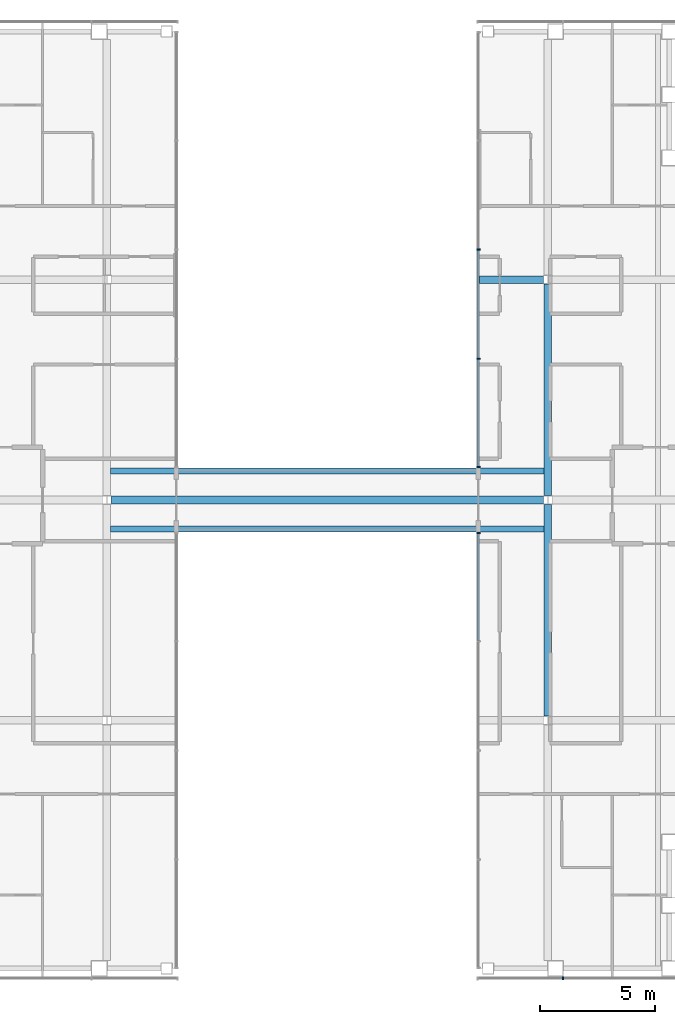
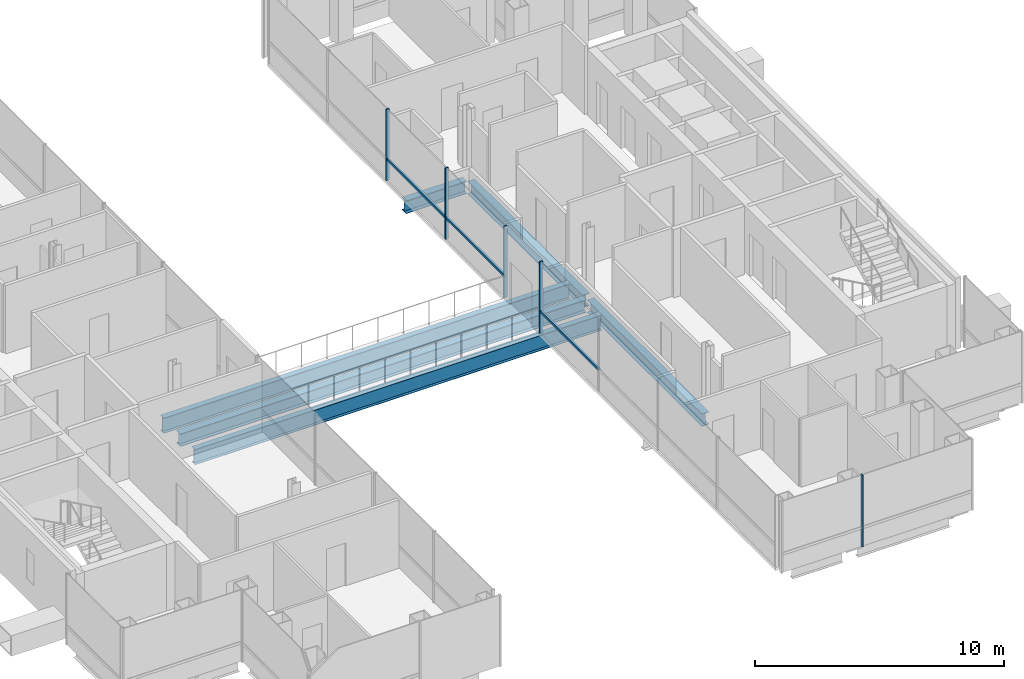
# One storey, part 6 of 16: 8 members, 6 beams, 3 elements without a shape of their own.
"""IFC4 building model written with IfcOpenShell, lengths in metres."""

from ifc_helpers import new_model, si_unit, direction, frame, origin, origin_2d, place, context, subcontext, project, spatial, rectangle, i_section, extrude, material, material_profile, profile_set, type_object, element, aggregate, save


model = new_model("IFC4")

# Units and contexts
model_context = context("Model", 3, precision=1e-05, world=origin(), true_north=direction((0.0, 1.0)))
body_context = subcontext(model_context, "Body", "Model", "MODEL_VIEW")
ifc_project = project(units=[si_unit("LENGTHUNIT", "METRE"), si_unit("AREAUNIT", "SQUARE_METRE"), si_unit("VOLUMEUNIT", "CUBIC_METRE"), si_unit("PLANEANGLEUNIT", "RADIAN"), si_unit("MASSUNIT", "GRAM", prefix="KILO")], contexts=[model_context])

# Site, building, storey
site_placement = place(None, origin())
site = spatial("IfcSite", under=ifc_project, at=site_placement, CompositionType="ELEMENT")
building_placement = place(site_placement, origin())
building = spatial("IfcBuilding", under=site, at=building_placement, Name="Cobrizo Arcos Hotel Tower", CompositionType="ELEMENT")
storey_placement = place(building_placement, frame((0.0, 0.0, 229.5)))
storey = spatial("IfcBuildingStorey", under=building, at=storey_placement, Name="L60", CompositionType="ELEMENT", Elevation=229.5)

# Curtain wall, member
ifc_material_1 = material(Name="Aluminium 6063-T6 anodised bronze", Category="aluminium")
curtain_wall_type_1 = type_object("IfcCurtainWallType", Name="CW-A guest facade", PredefinedType="NOTDEFINED", material=ifc_material_1)
curtain_wall_1_placement = place(storey_placement, origin())
curtain_wall_1 = element("IfcCurtainWall", 1, at=curtain_wall_1_placement, inside=storey, type_object=curtain_wall_type_1, Name="CW-A L60 S face", PredefinedType="NOTDEFINED")
ifc_material_profile_1 = material_profile(ifc_material_1, rectangle(XDim=0.14990234375, YDim=0.06005859375, at=origin_2d()), Name="CW-A mullion 150x60")
ifc_profile_set_1 = profile_set([ifc_material_profile_1], Name="Aluminium 6063-T6 anodised bronze")
member_type_1 = type_object("IfcMemberType", Name="CW-A mullion 150x60", PredefinedType="MULLION", material=ifc_profile_set_1)
member_1_placement = place(storey_placement, frame((10.2666015625, -20.824951171875, 0.0), z_axis=(0.0, 0.0, 1.0), x_axis=(0.0, -1.0, 0.0)))
member_1 = element("IfcMember", 2, at=member_1_placement, type_object=member_type_1, Name="CW-A mullion 2", PredefinedType="MULLION", context=body_context, shape_type="SweptSolid", body=[
    extrude(rectangle(XDim=0.14990234375, YDim=0.06005859375, at=origin_2d()), origin(), (0.0, 0.0, 1.0), 3.5),
])
aggregate(curtain_wall_1, [member_1])

curtain_wall_type_2 = type_object("IfcCurtainWallType", Name="CW-F void screen", PredefinedType="NOTDEFINED", material=ifc_material_1)
curtain_wall_2_placement = place(storey_placement, origin())
curtain_wall_2 = element("IfcCurtainWall", 3, at=curtain_wall_2_placement, inside=storey, type_object=curtain_wall_type_2, Name="CW-F L60 void screen C", PredefinedType="NOTDEFINED")
ifc_material_profile_2 = material_profile(ifc_material_1, rectangle(XDim=0.14990234375, YDim=0.06005859375, at=origin_2d()), Name="CW-F mullion 150x60")
ifc_profile_set_2 = profile_set([ifc_material_profile_2], Name="Aluminium 6063-T6 anodised bronze")
member_type_2 = type_object("IfcMemberType", Name="CW-F mullion 150x60", PredefinedType="MULLION", material=ifc_profile_set_2)
member_2_placement = place(storey_placement, frame((6.574951171875, -1.429931640625, 0.0), z_axis=(0.0, 0.0, 1.0), x_axis=(1.0, 0.0, 0.0)))
member_2 = element("IfcMember", 4, at=member_2_placement, type_object=member_type_2, Name="CW-F mullion 5", PredefinedType="MULLION", context=body_context, shape_type="SweptSolid", body=[
    extrude(rectangle(XDim=0.14990234375, YDim=0.06005859375, at=origin_2d()), origin(), (0.0, 0.0, 1.0), 3.5),
])

# Curtain wall, members
curtain_wall_3_placement = place(storey_placement, origin())
curtain_wall_3 = element("IfcCurtainWall", 5, at=curtain_wall_3_placement, inside=storey, type_object=curtain_wall_type_2, Name="CW-F L60 void screen C", PredefinedType="NOTDEFINED")
member_3_placement = place(storey_placement, frame((6.574951171875, 1.429931640625, 0.0), z_axis=(0.0, 0.0, 1.0), x_axis=(1.0, 0.0, 0.0)))
member_3 = element("IfcMember", 6, at=member_3_placement, type_object=member_type_2, Name="CW-F mullion 1", PredefinedType="MULLION", context=body_context, shape_type="SweptSolid", body=[
    extrude(rectangle(XDim=0.14990234375, YDim=0.06005859375, at=origin_2d()), origin(), (0.0, 0.0, 1.0), 3.5),
])
member_4_placement = place(storey_placement, frame((6.574951171875, 6.14990234375, 0.0), z_axis=(0.0, 0.0, 1.0), x_axis=(1.0, 0.0, 0.0)))
member_4 = element("IfcMember", 7, at=member_4_placement, type_object=member_type_2, Name="CW-F mullion 2", PredefinedType="MULLION", context=body_context, shape_type="SweptSolid", body=[
    extrude(rectangle(XDim=0.14990234375, YDim=0.06005859375, at=origin_2d()), origin(), (0.0, 0.0, 1.0), 3.5),
])
member_5_placement = place(storey_placement, frame((6.574951171875, 10.89990234375, 0.0), z_axis=(0.0, 0.0, 1.0), x_axis=(1.0, 0.0, 0.0)))
member_5 = element("IfcMember", 8, at=member_5_placement, type_object=member_type_2, Name="CW-F mullion 3", PredefinedType="MULLION", context=body_context, shape_type="SweptSolid", body=[
    extrude(rectangle(XDim=0.14990234375, YDim=0.06005859375, at=origin_2d()), origin(), (0.0, 0.0, 1.0), 3.5),
])

# Member
ifc_material_profile_3 = material_profile(ifc_material_1, rectangle(XDim=0.10009765625, YDim=0.1201171875, at=origin_2d()), Name="CW-F transom 120x100")
ifc_profile_set_3 = profile_set([ifc_material_profile_3], Name="Aluminium 6063-T6 anodised bronze")
member_type_3 = type_object("IfcMemberType", Name="CW-F transom 120x100", PredefinedType="USERDEFINED", material=ifc_profile_set_3)
member_6_placement = place(storey_placement, frame((6.574951171875, -6.1201171875, 1.050048828125), z_axis=(0.0, 1.0, 0.0), x_axis=(-1.0, 0.0, 0.0)))
member_6 = element("IfcMember", 9, at=member_6_placement, type_object=member_type_3, Name="CW-F transom 2735", ObjectType="TRANSOM", PredefinedType="USERDEFINED", context=body_context, shape_type="SweptSolid", body=[
    extrude(rectangle(XDim=0.10009765625, YDim=0.1201171875, at=origin_2d()), origin(), (0.0, 0.0, 1.0), 4.66015625),
])

aggregate(curtain_wall_2, [member_2, member_6])

member_7_placement = place(storey_placement, frame((6.574951171875, 1.4599609375, 1.050048828125), z_axis=(0.0, 1.0, 0.0), x_axis=(-1.0, 0.0, 0.0)))
member_7 = element("IfcMember", 10, at=member_7_placement, type_object=member_type_3, Name="CW-F transom 2736", ObjectType="TRANSOM", PredefinedType="USERDEFINED", context=body_context, shape_type="SweptSolid", body=[
    extrude(rectangle(XDim=0.10009765625, YDim=0.1201171875, at=origin_2d()), origin(), (0.0, 0.0, 1.0), 4.66015625),
])

member_8_placement = place(storey_placement, frame((6.574951171875, 6.179931640625, 1.050048828125), z_axis=(0.0, 1.0, 0.0), x_axis=(-1.0, 0.0, 0.0)))
member_8 = element("IfcMember", 11, at=member_8_placement, type_object=member_type_3, Name="CW-F transom 2737", ObjectType="TRANSOM", PredefinedType="USERDEFINED", context=body_context, shape_type="SweptSolid", body=[
    extrude(rectangle(XDim=0.10009765625, YDim=0.1201171875, at=origin_2d()), origin(), (0.0, 0.0, 1.0), 4.690185546875),
])

aggregate(curtain_wall_3, [member_3, member_4, member_5, member_7, member_8])

# Beams
ifc_material_2 = material(Name="Steel ASTM A992 Grade 50", Category="steel")
ifc_material_profile_4 = material_profile(ifc_material_2, i_section(OverallWidth=0.32763671875, OverallDepth=0.622314453125, WebThickness=0.015380859375, FlangeThickness=0.0244140625, at=origin_2d()), Name="W24X131")
ifc_profile_set_4 = profile_set([ifc_material_profile_4], Name="Steel ASTM A992 Grade 50")
beam_type_1 = type_object("IfcBeamType", Name="W24X131 girder", PredefinedType="BEAM", material=ifc_profile_set_4)
beam_1_placement = place(storey_placement, frame((-9.413330078125, 0.0, -0.461181640625), z_axis=(1.0, 0.0, 0.0), x_axis=(0.0, 1.0, 0.0)))
element("IfcBeam", 12, at=beam_1_placement, inside=storey, type_object=beam_type_1, Name="Floor girder G1, L60, no. 006", PredefinedType="BEAM", context=body_context, shape_type="SweptSolid", body=[
    extrude(i_section(OverallWidth=0.32763671875, OverallDepth=0.622314453125, WebThickness=0.015380859375, FlangeThickness=0.0244140625, at=origin_2d()), origin(), (0.0, 0.0, 1.0), 18.82666015625),
])
beam_2_placement = place(storey_placement, frame((6.590087890625, 9.60009765625, -0.461181640625), z_axis=(1.0, 0.0, 0.0), x_axis=(0.0, 1.0, 0.0)))
element("IfcBeam", 13, at=beam_2_placement, inside=storey, type_object=beam_type_1, Name="Floor girder G1, L60, no. 010", PredefinedType="BEAM", context=body_context, shape_type="SweptSolid", body=[
    extrude(i_section(OverallWidth=0.32763671875, OverallDepth=0.622314453125, WebThickness=0.015380859375, FlangeThickness=0.0244140625, at=origin_2d()), origin(), (0.0, 0.0, 1.0), 2.8232421875),
])
for number, where, z_axis, x_axis, name in (
    (14, (9.60009765625, -9.413330078125, -0.461181640625), (0.0, 1.0, 0.0), (-1.0, 0.0, 0.0), "Floor girder G1, L60, no. 017"),
    (15, (9.60009765625, 0.186767578125, -0.461181640625), (0.0, 1.0, 0.0), (-1.0, 0.0, 0.0), "Floor girder G1, L60, no. 018"),
):
    element("IfcBeam", number, at=place(storey_placement, frame(where, z_axis=z_axis, x_axis=x_axis)), inside=storey, type_object=beam_type_1, Name=name, PredefinedType="BEAM", context=body_context, shape_type="SweptSolid", body=[
        extrude(i_section(OverallWidth=0.32763671875, OverallDepth=0.622314453125, WebThickness=0.015380859375, FlangeThickness=0.0244140625, at=origin_2d()), origin(), (0.0, 0.0, 1.0), 9.2265625),
    ])
ifc_material_profile_5 = material_profile(ifc_material_2, i_section(OverallWidth=0.2666015625, OverallDepth=0.7568359375, WebThickness=0.013916015625, FlangeThickness=0.019287109375, at=origin_2d()), Name="W30X108")
ifc_profile_set_5 = profile_set([ifc_material_profile_5], Name="Steel ASTM A992 Grade 50")
beam_type_2 = type_object("IfcBeamType", Name="W30X108 bridge girder", PredefinedType="BEAM", material=ifc_profile_set_5)
for number, where, z_axis, x_axis, name in (
    (16, (-9.43603515625, -1.2666015625, -0.5283203125), (1.0, 0.0, 0.0), (0.0, 1.0, 0.0), "Bridge girder BG1, L60, no. 001"),
    (17, (-9.43603515625, 1.2666015625, -0.5283203125), (1.0, 0.0, 0.0), (0.0, 1.0, 0.0), "Bridge girder BG1, L60, no. 002"),
):
    element("IfcBeam", number, at=place(storey_placement, frame(where, z_axis=z_axis, x_axis=x_axis)), inside=storey, type_object=beam_type_2, Name=name, PredefinedType="BEAM", context=body_context, shape_type="SweptSolid", body=[
        extrude(i_section(OverallWidth=0.2666015625, OverallDepth=0.7568359375, WebThickness=0.013916015625, FlangeThickness=0.019287109375, at=origin_2d()), origin(), (0.0, 0.0, 1.0), 18.8720703125),
    ])

save(model, "model.ifc")
